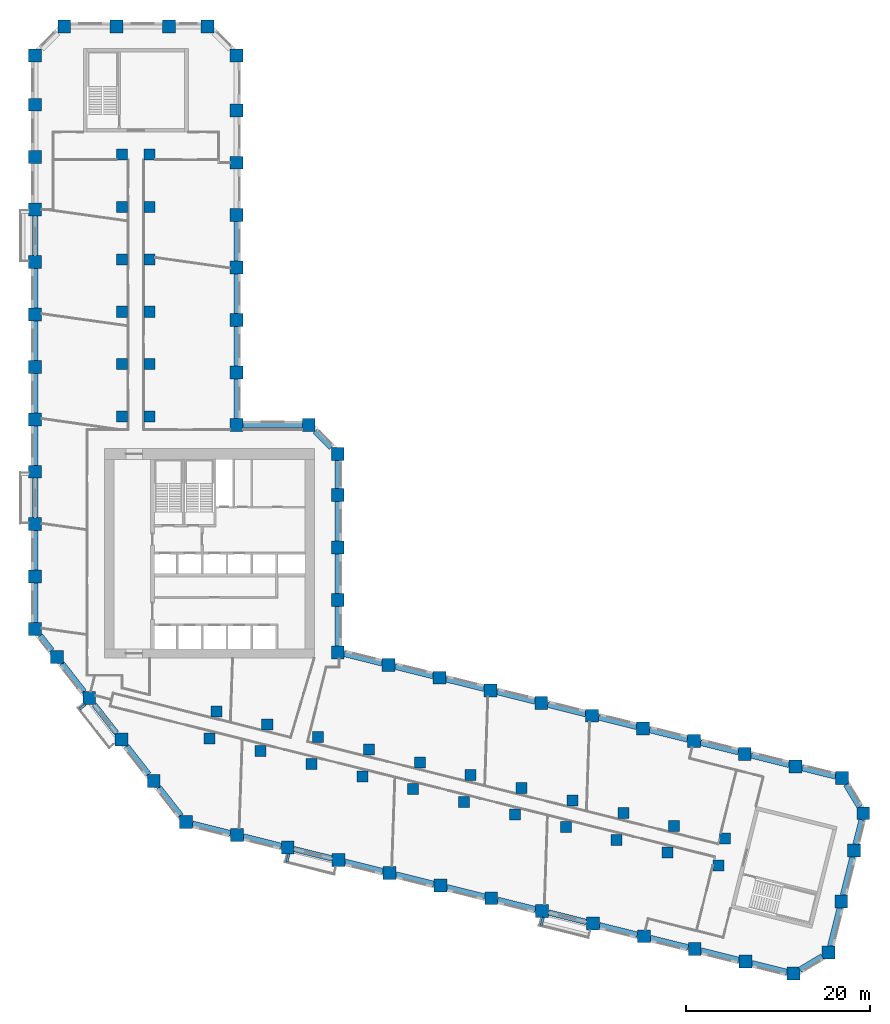
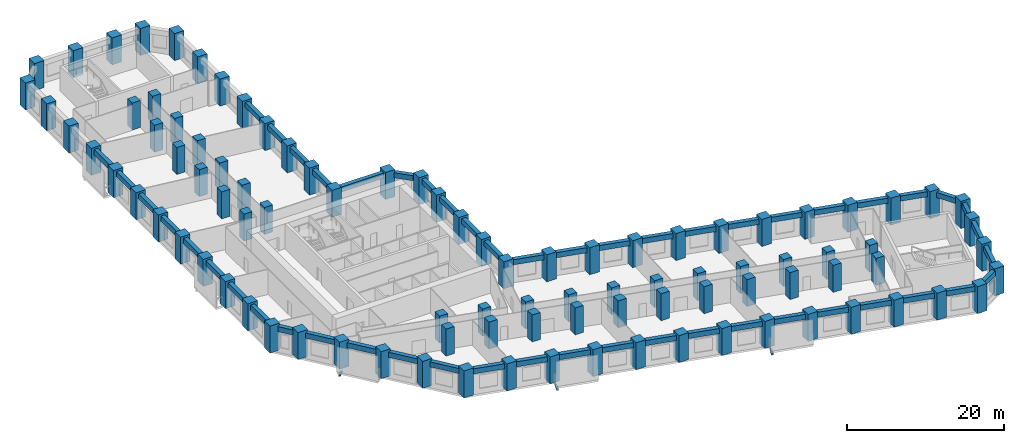
# One storey, part 1 of 11: 95 columns, 53 beams.
"""IFC4 building model written with IfcOpenShell, lengths in metres."""

from ifc_helpers import new_model, si_unit, direction, frame, origin, origin_2d, place, context, subcontext, project, spatial, rectangle, extrude, material, material_profile, profile_set, type_object, element, save


model = new_model("IFC4")

# Units and contexts
model_context = context("Model", 3, precision=1e-05, world=origin(), true_north=direction((0.0, 1.0)))
body_context = subcontext(model_context, "Body", "Model", "MODEL_VIEW")
ifc_project = project(units=[si_unit("LENGTHUNIT", "METRE"), si_unit("AREAUNIT", "SQUARE_METRE"), si_unit("VOLUMEUNIT", "CUBIC_METRE"), si_unit("PLANEANGLEUNIT", "RADIAN"), si_unit("MASSUNIT", "GRAM", prefix="KILO")], contexts=[model_context])

# Site, building, storey
site_placement = place(None, origin())
site = spatial("IfcSite", under=ifc_project, at=site_placement, CompositionType="ELEMENT")
building_placement = place(site_placement, origin())
building = spatial("IfcBuilding", under=site, at=building_placement, Name="Meshkara Civic Tower", CompositionType="ELEMENT")
storey_placement = place(building_placement, frame((0.0, 0.0, 75.0)))
storey = spatial("IfcBuildingStorey", under=building, at=storey_placement, Name="L16", CompositionType="ELEMENT", Elevation=75.0)

# Columns
ifc_material_1 = material(Name="Concrete C80", Category="concrete")
ifc_material_profile_1 = material_profile(ifc_material_1, rectangle(XDim=1.199951171875, YDim=1.199951171875, at=origin_2d()))
ifc_profile_set_1 = profile_set([ifc_material_profile_1], Name="Concrete C80")
column_type_1 = type_object("IfcColumnType", Name="Interior column RC 1200x1200 C80", PredefinedType="COLUMN", material=ifc_profile_set_1)
for number, where, z_axis, x_axis, name in (
    (1, (9.89990234375, 40.35009765625, 0.0), (0.0, 0.0, 1.0), (1.0, 0.0, 0.0), "Column SA1-04 L16"),
    (2, (9.89990234375, 46.050048828125, 0.0), (0.0, 0.0, 1.0), (1.0, 0.0, 0.0), "Column SA1-05 L16"),
    (3, (9.89990234375, 51.75, 0.0), (0.0, 0.0, 1.0), (1.0, 0.0, 0.0), "Column SA1-06 L16"),
    (4, (9.89990234375, 57.449951171875, 0.0), (0.0, 0.0, 1.0), (1.0, 0.0, 0.0), "Column SA1-07 L16"),
    (5, (9.89990234375, 63.14990234375, 0.0), (0.0, 0.0, 1.0), (1.0, 0.0, 0.0), "Column SA1-08 L16"),
    (6, (9.89990234375, 68.85009765625, 0.0), (0.0, 0.0, 1.0), (1.0, 0.0, 0.0), "Column SA1-09 L16"),
    (7, (12.89990234375, 40.35009765625, 0.0), (0.0, 0.0, 1.0), (1.0, 0.0, 0.0), "Column SA2-04 L16"),
    (8, (12.89990234375, 46.050048828125, 0.0), (0.0, 0.0, 1.0), (1.0, 0.0, 0.0), "Column SA2-05 L16"),
    (9, (12.89990234375, 51.75, 0.0), (0.0, 0.0, 1.0), (1.0, 0.0, 0.0), "Column SA2-06 L16"),
    (10, (12.89990234375, 57.449951171875, 0.0), (0.0, 0.0, 1.0), (1.0, 0.0, 0.0), "Column SA2-07 L16"),
    (11, (12.89990234375, 63.14990234375, 0.0), (0.0, 0.0, 1.0), (1.0, 0.0, 0.0), "Column SA2-08 L16"),
    (12, (12.89990234375, 68.85009765625, 0.0), (0.0, 0.0, 1.0), (1.0, 0.0, 0.0), "Column SA2-09 L16"),
    (13, (19.424072265625, 5.360107421875, 0.0), (0.0, 0.0, 1.0), (1.0, 0.0, 0.0), "Column SB1-00 L16"),
    (14, (24.9541015625, 3.98095703125, 0.0), (0.0, 0.0, 1.0), (1.0, 0.0, 0.0), "Column SB1-01 L16"),
    (15, (30.485107421875, 2.60205078125, 0.0), (0.0, 0.0, 1.0), (1.0, 0.0, 0.0), "Column SB1-02 L16"),
    (16, (36.01611328125, 1.222900390625, 0.0), (0.0, 0.0, 1.0), (1.0, 0.0, 0.0), "Column SB1-03 L16"),
    (17, (41.5458984375, -0.156005859375, 0.0), (0.0, 0.0, 1.0), (1.0, 0.0, 0.0), "Column SB1-04 L16"),
    (18, (47.076904296875, -1.534912109375, 0.0), (0.0, 0.0, 1.0), (1.0, 0.0, 0.0), "Column SB1-05 L16"),
    (19, (52.60791015625, -2.9140625, 0.0), (0.0, 0.0, 1.0), (1.0, 0.0, 0.0), "Column SB1-06 L16"),
    (20, (58.138916015625, -4.2919921875, 0.0), (0.0, 0.0, 1.0), (1.0, 0.0, 0.0), "Column SB1-07 L16"),
    (21, (63.6689453125, -5.6708984375, 0.0), (0.0, 0.0, 1.0), (1.0, 0.0, 0.0), "Column SB1-08 L16"),
    (22, (69.199951171875, -7.050048828125, 0.0), (0.0, 0.0, 1.0), (1.0, 0.0, 0.0), "Column SB1-09 L16"),
    (23, (74.73095703125, -8.428955078125, 0.0), (0.0, 0.0, 1.0), (1.0, 0.0, 0.0), "Column SB1-10 L16"),
    (24, (20.14892578125, 8.27099609375, 0.0), (0.0, 0.0, 1.0), (1.0, 0.0, 0.0), "Column SB2-00 L16"),
    (25, (25.679931640625, 6.89208984375, 0.0), (0.0, 0.0, 1.0), (1.0, 0.0, 0.0), "Column SB2-01 L16"),
    (26, (31.2109375, 5.512939453125, 0.0), (0.0, 0.0, 1.0), (1.0, 0.0, 0.0), "Column SB2-02 L16"),
    (27, (36.741943359375, 4.134033203125, 0.0), (0.0, 0.0, 1.0), (1.0, 0.0, 0.0), "Column SB2-03 L16"),
    (28, (42.27197265625, 2.7548828125, 0.0), (0.0, 0.0, 1.0), (1.0, 0.0, 0.0), "Column SB2-04 L16"),
    (29, (47.802978515625, 1.3759765625, 0.0), (0.0, 0.0, 1.0), (1.0, 0.0, 0.0), "Column SB2-05 L16"),
    (30, (53.333984375, -0.0029296875, 0.0), (0.0, 0.0, 1.0), (1.0, 0.0, 0.0), "Column SB2-06 L16"),
    (31, (58.864013671875, -1.382080078125, 0.0), (0.0, 0.0, 1.0), (1.0, 0.0, 0.0), "Column SB2-07 L16"),
    (32, (64.39501953125, -2.760986328125, 0.0), (0.0, 0.0, 1.0), (1.0, 0.0, 0.0), "Column SB2-08 L16"),
    (33, (69.926025390625, -4.139892578125, 0.0), (0.0, 0.0, 1.0), (1.0, 0.0, 0.0), "Column SB2-09 L16"),
    (34, (75.4560546875, -5.51806640625, 0.0), (0.0, 0.0, 1.0), (1.0, 0.0, 0.0), "Column SB2-10 L16"),
):
    element("IfcColumn", number, at=place(storey_placement, frame(where, z_axis=z_axis, x_axis=x_axis)), inside=storey, type_object=column_type_1, Name=name, PredefinedType="COLUMN", context=body_context, shape_type="SweptSolid", body=[
        extrude(rectangle(XDim=1.199951171875, YDim=1.199951171875, at=origin_2d()), origin(), (0.0, 0.0, 1.0), 4.199951171875),
    ])
ifc_material_2 = material(Name="Concrete C80", Category="concrete")
ifc_material_profile_2 = material_profile(ifc_material_2, rectangle(XDim=1.39990234375, YDim=1.39990234375, at=origin_2d()))
ifc_profile_set_2 = profile_set([ifc_material_profile_2], Name="Concrete C80")
column_type_2 = type_object("IfcColumnType", Name="Perimeter column RC 1400x1400 C80", PredefinedType="COLUMN", material=ifc_profile_set_2)
for number, where, z_axis, x_axis, name in (
    (35, (33.35009765625, 14.718994140625, 0.0), (0.0, 0.0, 1.0), (1.0, 0.0, 0.0), "Column HE00 L16"),
    (36, (33.35009765625, 20.4189453125, 0.0), (0.0, 0.0, 1.0), (1.0, 0.0, 0.0), "Column HE01 L16"),
    (37, (33.35009765625, 26.118896484375, 0.0), (0.0, 0.0, 1.0), (1.0, 0.0, 0.0), "Column HE02 L16"),
    (38, (33.35009765625, 31.819091796875, 0.0), (0.0, 0.0, 1.0), (1.0, 0.0, 0.0), "Column HE03 L16"),
    (39, (33.35009765625, 36.2939453125, 0.0), (0.0, 0.0, 1.0), (1.0, 0.0, 0.0), "Column HEE L16"),
    (40, (30.194091796875, 39.449951171875, 0.0), (0.0, 0.0, 1.0), (1.0, 0.0, 0.0), "Column HCeE L16"),
    (41, (22.35009765625, 39.449951171875, 0.0), (0.0, 0.0, 1.0), (1.0, 0.0, 0.0), "Column HN00 L16"),
    (42, (22.35009765625, 45.14990234375, 0.0), (0.0, 0.0, 1.0), (1.0, 0.0, 0.0), "Column AE01 L16"),
    (43, (22.35009765625, 50.85009765625, 0.0), (0.0, 0.0, 1.0), (1.0, 0.0, 0.0), "Column AE02 L16"),
    (44, (22.35009765625, 56.550048828125, 0.0), (0.0, 0.0, 1.0), (1.0, 0.0, 0.0), "Column AE03 L16"),
    (45, (22.35009765625, 62.25, 0.0), (0.0, 0.0, 1.0), (1.0, 0.0, 0.0), "Column AE04 L16"),
    (46, (22.35009765625, 67.949951171875, 0.0), (0.0, 0.0, 1.0), (1.0, 0.0, 0.0), "Column AE05 L16"),
    (47, (22.35009765625, 73.64990234375, 0.0), (0.0, 0.0, 1.0), (1.0, 0.0, 0.0), "Column AE06 L16"),
    (48, (22.35009765625, 79.614013671875, 0.0), (0.0, 0.0, 1.0), (1.0, 0.0, 0.0), "Column AEE L16"),
    (49, (19.194091796875, 82.77001953125, 0.0), (0.0, 0.0, 1.0), (1.0, 0.0, 0.0), "Column ATiE L16"),
    (50, (3.60595703125, 82.77001953125, 0.0), (0.0, 0.0, 1.0), (1.0, 0.0, 0.0), "Column AT00 L16"),
    (51, (9.305908203125, 82.77001953125, 0.0), (0.0, 0.0, 1.0), (1.0, 0.0, 0.0), "Column AT01 L16"),
    (52, (15.006103515625, 82.77001953125, 0.0), (0.0, 0.0, 1.0), (1.0, 0.0, 0.0), "Column AT02 L16"),
    (53, (0.449951171875, 79.614013671875, 0.0), (0.0, 0.0, 1.0), (1.0, 0.0, 0.0), "Column ATo00 L16"),
    (54, (0.449951171875, 17.2548828125, 0.0), (0.0, 0.0, 1.0), (1.0, 0.0, 0.0), "Column AW00 L16"),
    (55, (0.449951171875, 22.955078125, 0.0), (0.0, 0.0, 1.0), (1.0, 0.0, 0.0), "Column AW01 L16"),
    (56, (0.449951171875, 28.655029296875, 0.0), (0.0, 0.0, 1.0), (1.0, 0.0, 0.0), "Column AW02 L16"),
    (57, (0.449951171875, 34.35498046875, 0.0), (0.0, 0.0, 1.0), (1.0, 0.0, 0.0), "Column AW03 L16"),
    (58, (0.449951171875, 40.054931640625, 0.0), (0.0, 0.0, 1.0), (1.0, 0.0, 0.0), "Column AW04 L16"),
    (59, (0.449951171875, 45.7548828125, 0.0), (0.0, 0.0, 1.0), (1.0, 0.0, 0.0), "Column AW05 L16"),
    (60, (0.449951171875, 51.455078125, 0.0), (0.0, 0.0, 1.0), (1.0, 0.0, 0.0), "Column AW06 L16"),
    (61, (0.449951171875, 57.155029296875, 0.0), (0.0, 0.0, 1.0), (1.0, 0.0, 0.0), "Column AW07 L16"),
    (62, (0.449951171875, 62.85498046875, 0.0), (0.0, 0.0, 1.0), (1.0, 0.0, 0.0), "Column AW08 L16"),
    (63, (0.449951171875, 68.554931640625, 0.0), (0.0, 0.0, 1.0), (1.0, 0.0, 0.0), "Column AW09 L16"),
    (64, (0.449951171875, 74.2548828125, 0.0), (0.0, 0.0, 1.0), (1.0, 0.0, 0.0), "Column AW10 L16"),
    (65, (16.85107421875, -3.738037109375, 0.0), (0.0, 0.0, 1.0), (1.0, 0.0, 0.0), "Column BOW00 L16"),
    (66, (13.342041015625, 0.75390625, 0.0), (0.0, 0.0, 1.0), (1.0, 0.0, 0.0), "Column BOW01 L16"),
    (67, (9.8330078125, 5.2451171875, 0.0), (0.0, 0.0, 1.0), (1.0, 0.0, 0.0), "Column BOW02 L16"),
    (68, (6.322998046875, 9.737060546875, 0.0), (0.0, 0.0, 1.0), (1.0, 0.0, 0.0), "Column BOW03 L16"),
    (69, (2.81396484375, 14.22900390625, 0.0), (0.0, 0.0, 1.0), (1.0, 0.0, 0.0), "Column BOW04 L16"),
    (70, (22.382080078125, -5.116943359375, 0.0), (0.0, 0.0, 1.0), (1.0, 0.0, 0.0), "Column BS01 L16"),
    (71, (27.912109375, -6.49609375, 0.0), (0.0, 0.0, 1.0), (1.0, 0.0, 0.0), "Column BS02 L16"),
    (72, (33.443115234375, -7.875, 0.0), (0.0, 0.0, 1.0), (1.0, 0.0, 0.0), "Column BS03 L16"),
    (73, (38.97412109375, -9.25390625, 0.0), (0.0, 0.0, 1.0), (1.0, 0.0, 0.0), "Column BS04 L16"),
    (74, (44.5048828125, -10.632080078125, 0.0), (0.0, 0.0, 1.0), (1.0, 0.0, 0.0), "Column BS05 L16"),
    (75, (50.034912109375, -12.010986328125, 0.0), (0.0, 0.0, 1.0), (1.0, 0.0, 0.0), "Column BS06 L16"),
    (76, (55.56591796875, -13.389892578125, 0.0), (0.0, 0.0, 1.0), (1.0, 0.0, 0.0), "Column BS07 L16"),
    (77, (61.096923828125, -14.76904296875, 0.0), (0.0, 0.0, 1.0), (1.0, 0.0, 0.0), "Column BS08 L16"),
    (78, (66.626953125, -16.14794921875, 0.0), (0.0, 0.0, 1.0), (1.0, 0.0, 0.0), "Column BS09 L16"),
    (79, (72.157958984375, -17.527099609375, 0.0), (0.0, 0.0, 1.0), (1.0, 0.0, 0.0), "Column BS10 L16"),
    (80, (77.68896484375, -18.906005859375, 0.0), (0.0, 0.0, 1.0), (1.0, 0.0, 0.0), "Column BS11 L16"),
    (81, (82.887939453125, -20.201904296875, 0.0), (0.0, 0.0, 1.0), (1.0, 0.0, 0.0), "Column BSE L16"),
    (82, (86.714111328125, -17.903076171875, 0.0), (0.0, 0.0, 1.0), (1.0, 0.0, 0.0), "Column BToE L16"),
    (83, (88.093017578125, -12.3720703125, 0.0), (0.0, 0.0, 1.0), (1.0, 0.0, 0.0), "Column BT01 L16"),
    (84, (89.471923828125, -6.842041015625, 0.0), (0.0, 0.0, 1.0), (1.0, 0.0, 0.0), "Column BT02 L16"),
    (85, (90.485107421875, -2.779052734375, 0.0), (0.0, 0.0, 1.0), (1.0, 0.0, 0.0), "Column BTE L16"),
    (86, (88.18603515625, 1.0458984375, 0.0), (0.0, 0.0, 1.0), (1.0, 0.0, 0.0), "Column BTi00 L16"),
    (87, (38.881103515625, 13.340087890625, 0.0), (0.0, 0.0, 1.0), (1.0, 0.0, 0.0), "Column BN01 L16"),
    (88, (44.410888671875, 11.9609375, 0.0), (0.0, 0.0, 1.0), (1.0, 0.0, 0.0), "Column BN02 L16"),
    (89, (49.94189453125, 10.58203125, 0.0), (0.0, 0.0, 1.0), (1.0, 0.0, 0.0), "Column BN03 L16"),
    (90, (55.472900390625, 9.202880859375, 0.0), (0.0, 0.0, 1.0), (1.0, 0.0, 0.0), "Column BN04 L16"),
    (91, (61.0029296875, 7.823974609375, 0.0), (0.0, 0.0, 1.0), (1.0, 0.0, 0.0), "Column BN05 L16"),
    (92, (66.533935546875, 6.445068359375, 0.0), (0.0, 0.0, 1.0), (1.0, 0.0, 0.0), "Column BN06 L16"),
    (93, (72.06494140625, 5.06591796875, 0.0), (0.0, 0.0, 1.0), (1.0, 0.0, 0.0), "Column BN07 L16"),
    (94, (77.594970703125, 3.68701171875, 0.0), (0.0, 0.0, 1.0), (1.0, 0.0, 0.0), "Column BN08 L16"),
    (95, (83.1259765625, 2.30810546875, 0.0), (0.0, 0.0, 1.0), (1.0, 0.0, 0.0), "Column BN09 L16"),
):
    element("IfcColumn", number, at=place(storey_placement, frame(where, z_axis=z_axis, x_axis=x_axis)), inside=storey, type_object=column_type_2, Name=name, PredefinedType="COLUMN", context=body_context, shape_type="SweptSolid", body=[
        extrude(rectangle(XDim=1.39990234375, YDim=1.39990234375, at=origin_2d()), origin(), (0.0, 0.0, 1.0), 4.199951171875),
    ])

# Beams
ifc_material_3 = material(Name="Concrete C50", Category="concrete")
ifc_material_profile_3 = material_profile(ifc_material_3, rectangle(XDim=0.25, YDim=0.39990234375, at=origin_2d()))
ifc_profile_set_3 = profile_set([ifc_material_profile_3], Name="Concrete C50")
beam_type_1 = type_object("IfcBeamType", Name="Balcony bracket beam RC 250x400 C50", PredefinedType="BEAM", material=ifc_profile_set_3)
beam_1_placement = place(storey_placement, frame((5.91796875, 9.0400390625, -0.5), z_axis=(-0.787987386411, -0.615691382803, 0.0), x_axis=(0.615691382803, -0.787987386411, 0.0)))
element("IfcBeam", 96, at=beam_1_placement, inside=storey, type_object=beam_type_1, Name="Balcony bracket beam", PredefinedType="BEAM", context=body_context, shape_type="SweptSolid", body=[
    extrude(rectangle(XDim=0.25, YDim=0.39990234375, at=origin_2d()), origin(), (0.0, 0.0, 1.0), 0.800537109375),
])
beam_2_placement = place(storey_placement, frame((28.048095703125, -7.19091796875, -0.5), z_axis=(-0.242472373608, -0.970158310812, 0.0), x_axis=(0.970158310812, -0.242472373608, 0.0)))
element("IfcBeam", 97, at=beam_2_placement, inside=storey, type_object=beam_type_1, Name="Balcony bracket beam", PredefinedType="BEAM", context=body_context, shape_type="SweptSolid", body=[
    extrude(rectangle(XDim=0.25, YDim=0.39990234375, at=origin_2d()), origin(), (0.0, 0.0, 1.0), 0.908203125),
])
beam_3_placement = place(storey_placement, frame((55.701904296875, -14.0849609375, -0.5), z_axis=(-0.241966881417, -0.970284508944, 0.0), x_axis=(0.970284508944, -0.241966881417, 0.0)))
element("IfcBeam", 98, at=beam_3_placement, inside=storey, type_object=beam_type_1, Name="Balcony bracket beam", PredefinedType="BEAM", context=body_context, shape_type="SweptSolid", body=[
    extrude(rectangle(XDim=0.25, YDim=0.39990234375, at=origin_2d()), origin(), (0.0, 0.0, 1.0), 0.9091796875),
])
ifc_material_4 = material(Name="Concrete C70", Category="concrete")
ifc_material_profile_4 = material_profile(ifc_material_4, rectangle(XDim=0.60009765625, YDim=0.800048828125, at=origin_2d()))
ifc_profile_set_4 = profile_set([ifc_material_profile_4], Name="Concrete C70")
beam_type_2 = type_object("IfcBeamType", Name="Spandrel beam RC 600x800 C70", PredefinedType="BEAM", material=ifc_profile_set_4)
beam_4_placement = place(storey_placement, frame((82.430908203125, 2.481201171875, 3.5), z_axis=(-0.97029374225, 0.241929852955, 0.0), x_axis=(-0.241929852955, -0.97029374225, 0.0)))
element("IfcBeam", 99, at=beam_4_placement, inside=storey, type_object=beam_type_2, Name="Spandrel beam BN08-BN09", PredefinedType="BEAM", context=body_context, shape_type="SweptSolid", body=[
    extrude(rectangle(XDim=0.60009765625, YDim=0.800048828125, at=origin_2d()), origin(), (0.0, 0.0, 1.0), 4.267578125),
])
beam_5_placement = place(storey_placement, frame((76.89990234375, 3.8603515625, 3.5), z_axis=(-0.970293777887, 0.241929710026, 0.0), x_axis=(-0.241929710026, -0.970293777887, 0.0)))
element("IfcBeam", 100, at=beam_5_placement, inside=storey, type_object=beam_type_2, Name="Spandrel beam BN07-BN08", PredefinedType="BEAM", context=body_context, shape_type="SweptSolid", body=[
    extrude(rectangle(XDim=0.60009765625, YDim=0.800048828125, at=origin_2d()), origin(), (0.0, 0.0, 1.0), 4.2666015625),
])
for number, where, z_axis, x_axis, name in (
    (101, (71.369873046875, 5.2392578125, 3.5), (-0.97029374225, 0.241929852955, 0.0), (-0.241929852955, -0.97029374225, 0.0), "Spandrel beam BN06-BN07"),
    (102, (65.8388671875, 6.618408203125, 3.5), (-0.970307169965, 0.241875992843, 0.0), (-0.241875992843, -0.970307169965, 0.0), "Spandrel beam BN05-BN06"),
):
    element("IfcBeam", number, at=place(storey_placement, frame(where, z_axis=z_axis, x_axis=x_axis)), inside=storey, type_object=beam_type_2, Name=name, PredefinedType="BEAM", context=body_context, shape_type="SweptSolid", body=[
        extrude(rectangle(XDim=0.60009765625, YDim=0.800048828125, at=origin_2d()), origin(), (0.0, 0.0, 1.0), 4.267578125),
    ])
beam_6_placement = place(storey_placement, frame((60.307861328125, 7.997314453125, 3.5), z_axis=(-0.970276993533, 0.241997016139, 0.0), x_axis=(-0.241997016139, -0.970276993533, 0.0)))
element("IfcBeam", 103, at=beam_6_placement, inside=storey, type_object=beam_type_2, Name="Spandrel beam BN04-BN05", PredefinedType="BEAM", context=body_context, shape_type="SweptSolid", body=[
    extrude(rectangle(XDim=0.60009765625, YDim=0.800048828125, at=origin_2d()), origin(), (0.0, 0.0, 1.0), 4.266357421875),
])
for number, where, z_axis, x_axis, name in (
    (104, (54.77783203125, 9.376220703125, 3.5), (-0.970290393622, 0.241943282702, 0.0), (-0.241943282702, -0.970290393622, 0.0), "Spandrel beam BN03-BN04"),
    (105, (49.246826171875, 10.75537109375, 3.5), (-0.970303822782, 0.241889419972, 0.0), (-0.241889419972, -0.970303822782, 0.0), "Spandrel beam BN02-BN03"),
):
    element("IfcBeam", number, at=place(storey_placement, frame(where, z_axis=z_axis, x_axis=x_axis)), inside=storey, type_object=beam_type_2, Name=name, PredefinedType="BEAM", context=body_context, shape_type="SweptSolid", body=[
        extrude(rectangle(XDim=0.60009765625, YDim=0.800048828125, at=origin_2d()), origin(), (0.0, 0.0, 1.0), 4.267333984375),
    ])
beam_7_placement = place(storey_placement, frame((43.7158203125, 12.13427734375, 3.5), z_axis=(-0.970276993533, 0.241997016139, 0.0), x_axis=(-0.241997016139, -0.970276993533, 0.0)))
element("IfcBeam", 106, at=beam_7_placement, inside=storey, type_object=beam_type_2, Name="Spandrel beam BN01-BN02", PredefinedType="BEAM", context=body_context, shape_type="SweptSolid", body=[
    extrude(rectangle(XDim=0.60009765625, YDim=0.800048828125, at=origin_2d()), origin(), (0.0, 0.0, 1.0), 4.266357421875),
])
beam_8_placement = place(storey_placement, frame((38.185791015625, 13.51318359375, 3.5), z_axis=(-0.970290393622, 0.241943282702, 0.0), x_axis=(-0.241943282702, -0.970290393622, 0.0)))
element("IfcBeam", 107, at=beam_8_placement, inside=storey, type_object=beam_type_2, Name="Spandrel beam BN01-HE00", PredefinedType="BEAM", context=body_context, shape_type="SweptSolid", body=[
    extrude(rectangle(XDim=0.60009765625, YDim=0.800048828125, at=origin_2d()), origin(), (0.0, 0.0, 1.0), 4.267333984375),
])
for number, where, z_axis, x_axis, name in (
    (108, (33.35009765625, 15.4140625, 3.5), (0.0, 1.0, 0.0), (-1.0, 0.0, 0.0), "Spandrel beam HE00-HE01"),
    (109, (33.35009765625, 21.114013671875, 3.5), (0.0, 1.0, 0.0), (-1.0, 0.0, 0.0), "Spandrel beam HE01-HE02"),
    (110, (33.35009765625, 26.81396484375, 3.5), (0.0, 1.0, 0.0), (-1.0, 0.0, 0.0), "Spandrel beam HE02-HE03"),
):
    element("IfcBeam", number, at=place(storey_placement, frame(where, z_axis=z_axis, x_axis=x_axis)), inside=storey, type_object=beam_type_2, Name=name, PredefinedType="BEAM", context=body_context, shape_type="SweptSolid", body=[
        extrude(rectangle(XDim=0.60009765625, YDim=0.800048828125, at=origin_2d()), origin(), (0.0, 0.0, 1.0), 4.31005859375),
    ])
beam_9_placement = place(storey_placement, frame((33.35009765625, 32.513916015625, 3.5), z_axis=(0.0, 1.0, 0.0), x_axis=(-1.0, 0.0, 0.0)))
element("IfcBeam", 111, at=beam_9_placement, inside=storey, type_object=beam_type_2, Name="Spandrel beam HE03-HEE", PredefinedType="BEAM", context=body_context, shape_type="SweptSolid", body=[
    extrude(rectangle(XDim=0.60009765625, YDim=0.800048828125, at=origin_2d()), origin(), (0.0, 0.0, 1.0), 3.085205078125),
])
beam_10_placement = place(storey_placement, frame((32.653564453125, 36.990478515625, 3.5), z_axis=(-0.707155737934, 0.70705782105, 0.0), x_axis=(-0.70705782105, -0.707155737934, 0.0)))
element("IfcBeam", 112, at=beam_10_placement, inside=storey, type_object=beam_type_2, Name="Spandrel beam HCeE-HEE", PredefinedType="BEAM", context=body_context, shape_type="SweptSolid", body=[
    extrude(rectangle(XDim=0.60009765625, YDim=0.800048828125, at=origin_2d()), origin(), (0.0, 0.0, 1.0), 2.493408203125),
])
beam_11_placement = place(storey_placement, frame((29.4990234375, 39.449951171875, 3.5), z_axis=(-1.0, 0.0, 0.0), x_axis=(0.0, -1.0, 0.0)))
element("IfcBeam", 113, at=beam_11_placement, inside=storey, type_object=beam_type_2, Name="Spandrel beam HCeE-HN00", PredefinedType="BEAM", context=body_context, shape_type="SweptSolid", body=[
    extrude(rectangle(XDim=0.60009765625, YDim=0.800048828125, at=origin_2d()), origin(), (0.0, 0.0, 1.0), 6.4541015625),
])
for number, where, z_axis, x_axis, name in (
    (114, (22.35009765625, 40.14501953125, 3.5), (0.0, 1.0, 0.0), (-1.0, 0.0, 0.0), "Spandrel beam AE01-HN00"),
    (115, (22.35009765625, 45.844970703125, 3.5), (0.0, 1.0, 0.0), (-1.0, 0.0, 0.0), "Spandrel beam AE01-AE02"),
    (116, (22.35009765625, 51.544921875, 3.5), (0.0, 1.0, 0.0), (-1.0, 0.0, 0.0), "Spandrel beam AE02-AE03"),
):
    element("IfcBeam", number, at=place(storey_placement, frame(where, z_axis=z_axis, x_axis=x_axis)), inside=storey, type_object=beam_type_2, Name=name, PredefinedType="BEAM", context=body_context, shape_type="SweptSolid", body=[
        extrude(rectangle(XDim=0.60009765625, YDim=0.800048828125, at=origin_2d()), origin(), (0.0, 0.0, 1.0), 4.31005859375),
    ])
for number, where, z_axis, x_axis, name in (
    (117, (22.35009765625, 57.2451171875, 3.5), (0.0, 1.0, 0.0), (-1.0, 0.0, 0.0), "Spandrel beam AE03-AE04"),
    (118, (0.449951171875, 62.159912109375, 3.5), (0.0, -1.0, 0.0), (1.0, 0.0, 0.0), "Spandrel beam AW07-AW08"),
):
    element("IfcBeam", number, at=place(storey_placement, frame(where, z_axis=z_axis, x_axis=x_axis)), inside=storey, type_object=beam_type_2, Name=name, PredefinedType="BEAM", context=body_context, shape_type="SweptSolid", body=[
        extrude(rectangle(XDim=0.60009765625, YDim=0.800048828125, at=origin_2d()), origin(), (0.0, 0.0, 1.0), 4.309814453125),
    ])
for number, where, z_axis, x_axis, name in (
    (119, (0.449951171875, 56.4599609375, 3.5), (0.0, -1.0, 0.0), (1.0, 0.0, 0.0), "Spandrel beam AW06-AW07"),
    (120, (0.449951171875, 50.760009765625, 3.5), (0.0, -1.0, 0.0), (1.0, 0.0, 0.0), "Spandrel beam AW05-AW06"),
    (121, (0.449951171875, 45.06005859375, 3.5), (0.0, -1.0, 0.0), (1.0, 0.0, 0.0), "Spandrel beam AW04-AW05"),
    (122, (0.449951171875, 39.360107421875, 3.5), (0.0, -1.0, 0.0), (1.0, 0.0, 0.0), "Spandrel beam AW03-AW04"),
):
    element("IfcBeam", number, at=place(storey_placement, frame(where, z_axis=z_axis, x_axis=x_axis)), inside=storey, type_object=beam_type_2, Name=name, PredefinedType="BEAM", context=body_context, shape_type="SweptSolid", body=[
        extrude(rectangle(XDim=0.60009765625, YDim=0.800048828125, at=origin_2d()), origin(), (0.0, 0.0, 1.0), 4.31005859375),
    ])
beam_12_placement = place(storey_placement, frame((0.449951171875, 33.659912109375, 3.5), z_axis=(0.0, -1.0, 0.0), x_axis=(1.0, 0.0, 0.0)))
element("IfcBeam", 123, at=beam_12_placement, inside=storey, type_object=beam_type_2, Name="Spandrel beam AW02-AW03", PredefinedType="BEAM", context=body_context, shape_type="SweptSolid", body=[
    extrude(rectangle(XDim=0.60009765625, YDim=0.800048828125, at=origin_2d()), origin(), (0.0, 0.0, 1.0), 4.309814453125),
])
for number, where, z_axis, x_axis, name in (
    (124, (0.449951171875, 27.9599609375, 3.5), (0.0, -1.0, 0.0), (1.0, 0.0, 0.0), "Spandrel beam AW01-AW02"),
    (125, (0.449951171875, 22.260009765625, 3.5), (0.0, -1.0, 0.0), (1.0, 0.0, 0.0), "Spandrel beam AW00-AW01"),
):
    element("IfcBeam", number, at=place(storey_placement, frame(where, z_axis=z_axis, x_axis=x_axis)), inside=storey, type_object=beam_type_2, Name=name, PredefinedType="BEAM", context=body_context, shape_type="SweptSolid", body=[
        extrude(rectangle(XDim=0.60009765625, YDim=0.800048828125, at=origin_2d()), origin(), (0.0, 0.0, 1.0), 4.31005859375),
    ])
beam_13_placement = place(storey_placement, frame((0.993896484375, 16.558837890625, 3.5), z_axis=(0.615634901283, -0.788031514803, 0.0), x_axis=(0.788031514803, 0.615634901283, 0.0)))
element("IfcBeam", 126, at=beam_13_placement, inside=storey, type_object=beam_type_2, Name="Spandrel beam AW00-BOW04", PredefinedType="BEAM", context=body_context, shape_type="SweptSolid", body=[
    extrude(rectangle(XDim=0.60009765625, YDim=0.800048828125, at=origin_2d()), origin(), (0.0, 0.0, 1.0), 2.0732421875),
])
beam_14_placement = place(storey_placement, frame((3.357666015625, 13.532958984375, 3.5), z_axis=(0.615623566685, -0.788040369614, 0.0), x_axis=(0.788040369614, 0.615623566685, 0.0)))
element("IfcBeam", 127, at=beam_14_placement, inside=storey, type_object=beam_type_2, Name="Spandrel beam BOW03-BOW04", PredefinedType="BEAM", context=body_context, shape_type="SweptSolid", body=[
    extrude(rectangle(XDim=0.60009765625, YDim=0.800048828125, at=origin_2d()), origin(), (0.0, 0.0, 1.0), 3.93359375),
])
beam_15_placement = place(storey_placement, frame((6.866943359375, 9.041015625, 3.5), z_axis=(0.61570064363, -0.787980150406, 0.0), x_axis=(0.787980150406, 0.61570064363, 0.0)))
element("IfcBeam", 128, at=beam_15_placement, inside=storey, type_object=beam_type_2, Name="Spandrel beam BOW02-BOW03", PredefinedType="BEAM", context=body_context, shape_type="SweptSolid", body=[
    extrude(rectangle(XDim=0.60009765625, YDim=0.800048828125, at=origin_2d()), origin(), (0.0, 0.0, 1.0), 3.933837890625),
])
beam_16_placement = place(storey_placement, frame((10.376953125, 4.548828125, 3.5), z_axis=(0.615697051917, -0.787982956834, 0.0), x_axis=(0.787982956834, 0.615697051917, 0.0)))
element("IfcBeam", 129, at=beam_16_placement, inside=storey, type_object=beam_type_2, Name="Spandrel beam BOW01-BOW02", PredefinedType="BEAM", context=body_context, shape_type="SweptSolid", body=[
    extrude(rectangle(XDim=0.60009765625, YDim=0.800048828125, at=origin_2d()), origin(), (0.0, 0.0, 1.0), 3.932373046875),
])
beam_17_placement = place(storey_placement, frame((13.8857421875, 0.057861328125, 3.5), z_axis=(0.615623566685, -0.788040369614, 0.0), x_axis=(0.788040369614, 0.615623566685, 0.0)))
element("IfcBeam", 130, at=beam_17_placement, inside=storey, type_object=beam_type_2, Name="Spandrel beam BOW00-BOW01", PredefinedType="BEAM", context=body_context, shape_type="SweptSolid", body=[
    extrude(rectangle(XDim=0.60009765625, YDim=0.800048828125, at=origin_2d()), origin(), (0.0, 0.0, 1.0), 3.93359375),
])
beam_18_placement = place(storey_placement, frame((17.546142578125, -3.911376953125, 3.5), z_axis=(0.970307169965, -0.241875992843, 0.0), x_axis=(0.241875992843, 0.970307169965, 0.0)))
element("IfcBeam", 131, at=beam_18_placement, inside=storey, type_object=beam_type_2, Name="Spandrel beam BOW00-BS01", PredefinedType="BEAM", context=body_context, shape_type="SweptSolid", body=[
    extrude(rectangle(XDim=0.60009765625, YDim=0.800048828125, at=origin_2d()), origin(), (0.0, 0.0, 1.0), 4.267578125),
])
beam_19_placement = place(storey_placement, frame((23.0771484375, -5.290283203125, 3.5), z_axis=(0.970276993533, -0.241997016139, 0.0), x_axis=(0.241997016139, 0.970276993533, 0.0)))
element("IfcBeam", 132, at=beam_19_placement, inside=storey, type_object=beam_type_2, Name="Spandrel beam BS01-BS02", PredefinedType="BEAM", context=body_context, shape_type="SweptSolid", body=[
    extrude(rectangle(XDim=0.60009765625, YDim=0.800048828125, at=origin_2d()), origin(), (0.0, 0.0, 1.0), 4.266357421875),
])
for number, where, z_axis, x_axis, name in (
    (133, (28.607177734375, -6.669189453125, 3.5), (0.970290393622, -0.241943282702, 0.0), (0.241943282702, 0.970290393622, 0.0), "Spandrel beam BS02-BS03"),
    (134, (34.13818359375, -8.04833984375, 3.5), (0.970290393622, -0.241943282702, 0.0), (0.241943282702, 0.970290393622, 0.0), "Spandrel beam BS03-BS04"),
):
    element("IfcBeam", number, at=place(storey_placement, frame(where, z_axis=z_axis, x_axis=x_axis)), inside=storey, type_object=beam_type_2, Name=name, PredefinedType="BEAM", context=body_context, shape_type="SweptSolid", body=[
        extrude(rectangle(XDim=0.60009765625, YDim=0.800048828125, at=origin_2d()), origin(), (0.0, 0.0, 1.0), 4.267333984375),
    ])
beam_20_placement = place(storey_placement, frame((39.669189453125, -9.42724609375, 3.5), z_axis=(0.97034409455, -0.241727818365, 0.0), x_axis=(0.241727818365, 0.97034409455, 0.0)))
element("IfcBeam", 135, at=beam_20_placement, inside=storey, type_object=beam_type_2, Name="Spandrel beam BS04-BS05", PredefinedType="BEAM", context=body_context, shape_type="SweptSolid", body=[
    extrude(rectangle(XDim=0.60009765625, YDim=0.800048828125, at=origin_2d()), origin(), (0.0, 0.0, 1.0), 4.26708984375),
])
beam_21_placement = place(storey_placement, frame((45.2001953125, -10.805419921875, 3.5), z_axis=(0.970290428474, -0.241943142934, 0.0), x_axis=(0.241943142934, 0.970290428474, 0.0)))
element("IfcBeam", 136, at=beam_21_placement, inside=storey, type_object=beam_type_2, Name="Spandrel beam BS05-BS06", PredefinedType="BEAM", context=body_context, shape_type="SweptSolid", body=[
    extrude(rectangle(XDim=0.60009765625, YDim=0.800048828125, at=origin_2d()), origin(), (0.0, 0.0, 1.0), 4.266357421875),
])
for number, where, z_axis, x_axis, name in (
    (137, (50.72998046875, -12.184326171875, 3.5), (0.97029374225, -0.241929852955, 0.0), (0.241929852955, 0.97029374225, 0.0), "Spandrel beam BS06-BS07"),
    (138, (56.260986328125, -13.563232421875, 3.5), (0.97029374225, -0.241929852955, 0.0), (0.241929852955, 0.97029374225, 0.0), "Spandrel beam BS07-BS08"),
):
    element("IfcBeam", number, at=place(storey_placement, frame(where, z_axis=z_axis, x_axis=x_axis)), inside=storey, type_object=beam_type_2, Name=name, PredefinedType="BEAM", context=body_context, shape_type="SweptSolid", body=[
        extrude(rectangle(XDim=0.60009765625, YDim=0.800048828125, at=origin_2d()), origin(), (0.0, 0.0, 1.0), 4.267578125),
    ])
beam_22_placement = place(storey_placement, frame((61.7919921875, -14.9423828125, 3.5), z_axis=(0.970293777887, -0.241929710026, 0.0), x_axis=(0.241929710026, 0.970293777887, 0.0)))
element("IfcBeam", 139, at=beam_22_placement, inside=storey, type_object=beam_type_2, Name="Spandrel beam BS08-BS09", PredefinedType="BEAM", context=body_context, shape_type="SweptSolid", body=[
    extrude(rectangle(XDim=0.60009765625, YDim=0.800048828125, at=origin_2d()), origin(), (0.0, 0.0, 1.0), 4.2666015625),
])
for number, where, z_axis, x_axis, name in (
    (140, (67.322021484375, -16.3212890625, 3.5), (0.97029374225, -0.241929852955, 0.0), (0.241929852955, 0.97029374225, 0.0), "Spandrel beam BS09-BS10"),
    (141, (72.85302734375, -17.7001953125, 3.5), (0.97029374225, -0.241929852955, 0.0), (0.241929852955, 0.97029374225, 0.0), "Spandrel beam BS10-BS11"),
):
    element("IfcBeam", number, at=place(storey_placement, frame(where, z_axis=z_axis, x_axis=x_axis)), inside=storey, type_object=beam_type_2, Name=name, PredefinedType="BEAM", context=body_context, shape_type="SweptSolid", body=[
        extrude(rectangle(XDim=0.60009765625, YDim=0.800048828125, at=origin_2d()), origin(), (0.0, 0.0, 1.0), 4.267578125),
    ])
beam_23_placement = place(storey_placement, frame((78.384033203125, -19.079345703125, 3.5), z_axis=(0.970306910921, -0.241877032022, 0.0), x_axis=(0.241877032022, 0.970306910921, 0.0)))
element("IfcBeam", 142, at=beam_23_placement, inside=storey, type_object=beam_type_2, Name="Spandrel beam BS11-BSE", PredefinedType="BEAM", context=body_context, shape_type="SweptSolid", body=[
    extrude(rectangle(XDim=0.60009765625, YDim=0.800048828125, at=origin_2d()), origin(), (0.0, 0.0, 1.0), 3.92529296875),
])
beam_24_placement = place(storey_placement, frame((83.583740234375, -19.783935546875, 3.5), z_axis=(0.857159031547, 0.515051836846, 0.0), x_axis=(-0.515051836846, 0.857159031547, 0.0)))
element("IfcBeam", 143, at=beam_24_placement, inside=storey, type_object=beam_type_2, Name="Spandrel beam BSE-BToE", PredefinedType="BEAM", context=body_context, shape_type="SweptSolid", body=[
    extrude(rectangle(XDim=0.60009765625, YDim=0.800048828125, at=origin_2d()), origin(), (0.0, 0.0, 1.0), 2.84033203125),
])
beam_25_placement = place(storey_placement, frame((86.88720703125, -17.2080078125, 3.5), z_axis=(0.241929852955, 0.97029374225, 0.0), x_axis=(-0.97029374225, 0.241929852955, 0.0)))
element("IfcBeam", 144, at=beam_25_placement, inside=storey, type_object=beam_type_2, Name="Spandrel beam BT01-BToE", PredefinedType="BEAM", context=body_context, shape_type="SweptSolid", body=[
    extrude(rectangle(XDim=0.60009765625, YDim=0.800048828125, at=origin_2d()), origin(), (0.0, 0.0, 1.0), 4.267578125),
])
beam_26_placement = place(storey_placement, frame((88.266357421875, -11.677001953125, 3.5), z_axis=(0.241929710026, 0.970293777887, 0.0), x_axis=(-0.970293777887, 0.241929710026, 0.0)))
element("IfcBeam", 145, at=beam_26_placement, inside=storey, type_object=beam_type_2, Name="Spandrel beam BT01-BT02", PredefinedType="BEAM", context=body_context, shape_type="SweptSolid", body=[
    extrude(rectangle(XDim=0.60009765625, YDim=0.800048828125, at=origin_2d()), origin(), (0.0, 0.0, 1.0), 4.2666015625),
])
beam_27_placement = place(storey_placement, frame((89.645263671875, -6.14697265625, 3.5), z_axis=(0.241951685637, 0.9702882983, 0.0), x_axis=(-0.9702882983, 0.241951685637, 0.0)))
element("IfcBeam", 146, at=beam_27_placement, inside=storey, type_object=beam_type_2, Name="Spandrel beam BT02-BTE", PredefinedType="BEAM", context=body_context, shape_type="SweptSolid", body=[
    extrude(rectangle(XDim=0.60009765625, YDim=0.800048828125, at=origin_2d()), origin(), (0.0, 0.0, 1.0), 2.754638671875),
])
beam_28_placement = place(storey_placement, frame((90.06689453125, -2.083251953125, 3.5), z_axis=(-0.515140502895, 0.85710574743, 0.0), x_axis=(-0.85710574743, -0.515140502895, 0.0)))
element("IfcBeam", 147, at=beam_28_placement, inside=storey, type_object=beam_type_2, Name="Spandrel beam BTE-BTi00", PredefinedType="BEAM", context=body_context, shape_type="SweptSolid", body=[
    extrude(rectangle(XDim=0.60009765625, YDim=0.800048828125, at=origin_2d()), origin(), (0.0, 0.0, 1.0), 2.83935546875),
])
beam_29_placement = place(storey_placement, frame((87.490966796875, 1.219482421875, 3.5), z_axis=(-0.97029418893, 0.241928061476, 0.0), x_axis=(-0.241928061476, -0.97029418893, 0.0)))
element("IfcBeam", 148, at=beam_29_placement, inside=storey, type_object=beam_type_2, Name="Spandrel beam BN09-BTi00", PredefinedType="BEAM", context=body_context, shape_type="SweptSolid", body=[
    extrude(rectangle(XDim=0.60009765625, YDim=0.800048828125, at=origin_2d()), origin(), (0.0, 0.0, 1.0), 3.7822265625),
])

save(model, "model.ifc")
